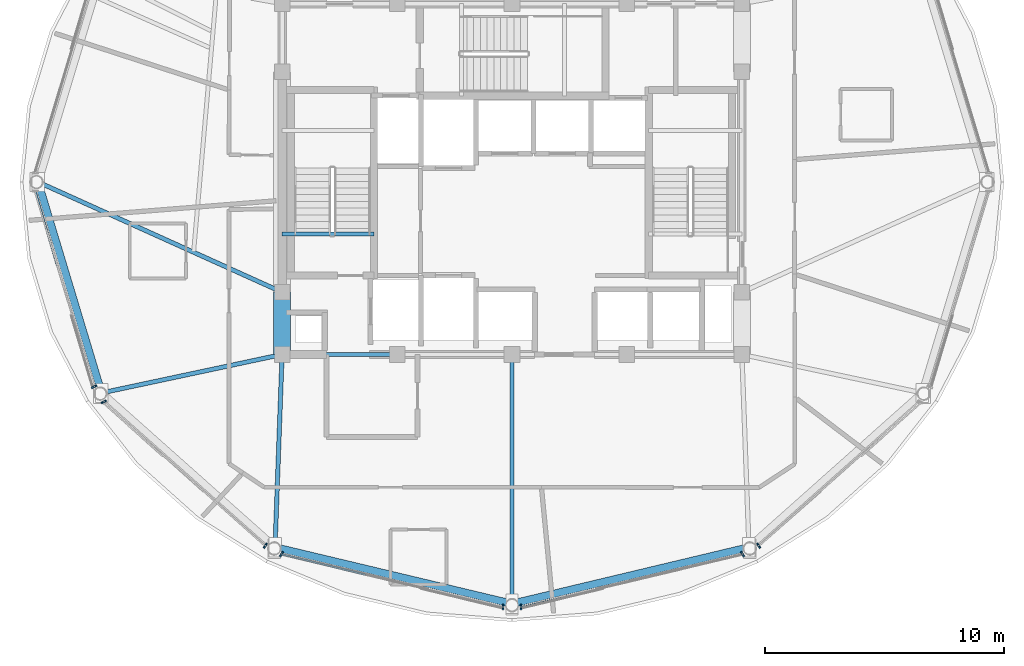
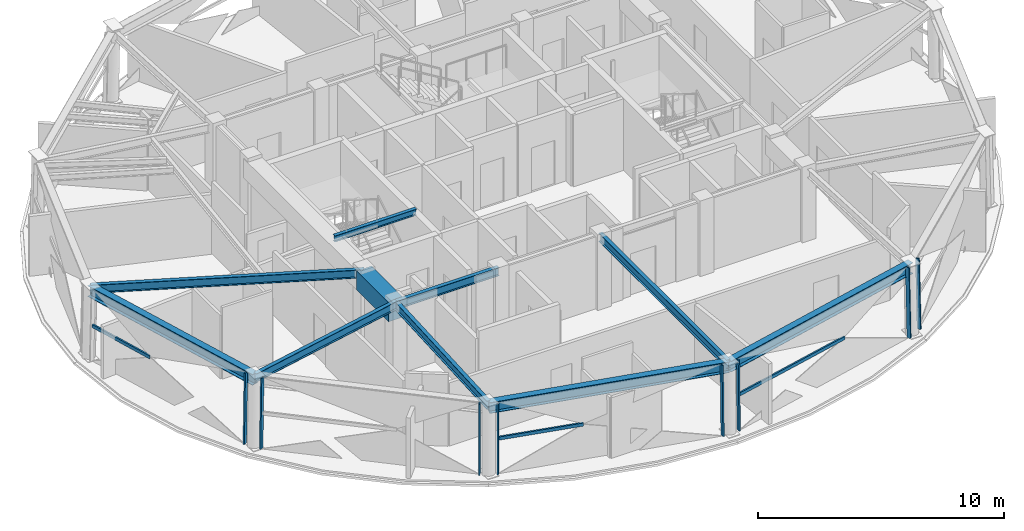
# One storey, part 2 of 15: 11 members, 10 beams, 5 elements without a shape of their own.
"""IFC4 building model written with IfcOpenShell, lengths in metres."""

from ifc_helpers import new_model, si_unit, direction, frame, origin, origin_2d, place, context, subcontext, project, spatial, rectangle, hollow_rectangle, i_section, extrude, material, layer, layer_set, material_profile, profile_set, type_object, element, aggregate, save


model = new_model("IFC4")

# Units and contexts
model_context = context("Model", 3, precision=1e-05, world=origin(), true_north=direction((0.0, 1.0)))
body_context = subcontext(model_context, "Body", "Model", "MODEL_VIEW")
ifc_project = project(units=[si_unit("LENGTHUNIT", "METRE"), si_unit("AREAUNIT", "SQUARE_METRE"), si_unit("VOLUMEUNIT", "CUBIC_METRE"), si_unit("PLANEANGLEUNIT", "RADIAN"), si_unit("MASSUNIT", "GRAM", prefix="KILO")], contexts=[model_context])

# Site, building, storey
site_placement = place(None, origin())
site = spatial("IfcSite", under=ifc_project, at=site_placement, CompositionType="ELEMENT")
building_placement = place(site_placement, origin())
building = spatial("IfcBuilding", under=site, at=building_placement, Name="Vantalir Tower", CompositionType="ELEMENT")
storey_placement = place(building_placement, frame((0.0, 0.0, 263.85009765625)))
storey = spatial("IfcBuildingStorey", under=building, at=storey_placement, Name="L66", CompositionType="ELEMENT", Elevation=263.85009765625)

# Beams
ifc_material_1 = material(Name="Concrete C60/75", Category="concrete")
ifc_material_profile_1 = material_profile(ifc_material_1, rectangle(XDim=0.699951171875, YDim=0.949951171875, at=origin_2d()), Name="Concrete C60/75")
ifc_profile_set_1 = profile_set([ifc_material_profile_1], Name="Concrete C60/75")
beam_type_1 = type_object("IfcBeamType", Name="BM-CB-700x950", PredefinedType="USERDEFINED", material=ifc_profile_set_1)
beam_1_placement = place(storey_placement, frame((21.89990234375, 20.39990234375, 3.094970703125), z_axis=(0.0, -1.0, 0.0), x_axis=(1.0, 0.0, 0.0)))
element("IfcBeam", 1, at=beam_1_placement, inside=storey, type_object=beam_type_1, Name="L66 Core Coupling Girder 14", ObjectType="GIRDER", PredefinedType="USERDEFINED", context=body_context, shape_type="SweptSolid", body=[
    extrude(rectangle(XDim=0.699951171875, YDim=0.949951171875, at=origin_2d()), origin(), (0.0, 0.0, 1.0), 2.599853515625),
])
ifc_material_2 = material(Name="Steel S355", Category="steel")
ifc_material_profile_2 = material_profile(ifc_material_2, i_section(OverallWidth=0.166015625, OverallDepth=0.306884765625, WebThickness=0.006591796875, FlangeThickness=0.01171875, at=origin_2d()), Name="Steel S355")
ifc_profile_set_2 = profile_set([ifc_material_profile_2], Name="Steel S355")
beam_type_2 = type_object("IfcBeamType", Name="BM-JS-305x165", PredefinedType="JOIST", material=ifc_profile_set_2)
beam_2_placement = place(storey_placement, frame((21.89990234375, 22.8349609375, 3.595947265625), z_axis=(1.0, 0.0, 0.0), x_axis=(0.0, 1.0, 0.0)))
element("IfcBeam", 2, at=beam_2_placement, inside=storey, type_object=beam_type_2, Name="L67 Stair ST1 Well Nosing Trimmer Beam", PredefinedType="JOIST", context=body_context, shape_type="SweptSolid", body=[
    extrude(i_section(OverallWidth=0.166015625, OverallDepth=0.306884765625, WebThickness=0.006591796875, FlangeThickness=0.01171875, at=origin_2d()), origin(), (0.0, 0.0, 1.0), 3.840087890625),
])
ifc_material_profile_3 = material_profile(ifc_material_2, i_section(OverallWidth=0.179931640625, OverallDepth=0.4130859375, WebThickness=0.009521484375, FlangeThickness=0.01611328125, at=origin_2d()), Name="Steel S355")
ifc_profile_set_3 = profile_set([ifc_material_profile_3], Name="Steel S355")
beam_type_3 = type_object("IfcBeamType", Name="BM-RB-406x178", PredefinedType="BEAM", material=ifc_profile_set_3)
beam_3_placement = place(storey_placement, frame((21.89990234375, 17.800048828125, 3.364013671875), z_axis=(1.0, 0.0, 0.0), x_axis=(0.0, 1.0, 0.0)))
element("IfcBeam", 3, at=beam_3_placement, inside=storey, type_object=beam_type_3, Name="L66 Core Coupling Girder 01", PredefinedType="BEAM", context=body_context, shape_type="SweptSolid", body=[
    extrude(i_section(OverallWidth=0.179931640625, OverallDepth=0.4130859375, WebThickness=0.009521484375, FlangeThickness=0.01611328125, at=origin_2d()), origin(), (0.0, 0.0, 1.0), 4.800048828125),
])
beam_4_placement = place(storey_placement, frame((11.7099609375, 25.0, 3.364013671875), z_axis=(0.911431363307, -0.411452147861, 0.0), x_axis=(0.411452147861, 0.911431363307, 0.0)))
element("IfcBeam", 4, at=beam_4_placement, inside=storey, type_object=beam_type_3, Name="L66 Radial Floor Beam 07", PredefinedType="BEAM", context=body_context, shape_type="SweptSolid", body=[
    extrude(i_section(OverallWidth=0.179931640625, OverallDepth=0.4130859375, WebThickness=0.009521484375, FlangeThickness=0.01611328125, at=origin_2d()), origin(), (0.0, 0.0, 1.0), 11.18017578125),
])
beam_5_placement = place(storey_placement, frame((14.361083984375, 16.194091796875, 3.364013671875), z_axis=(0.978054321044, 0.208350054206, 0.0), x_axis=(-0.208350054206, 0.978054321044, 0.0)))
element("IfcBeam", 5, at=beam_5_placement, inside=storey, type_object=beam_type_3, Name="L66 Radial Floor Beam 08", PredefinedType="BEAM", context=body_context, shape_type="SweptSolid", body=[
    extrude(i_section(OverallWidth=0.179931640625, OverallDepth=0.4130859375, WebThickness=0.009521484375, FlangeThickness=0.01611328125, at=origin_2d()), origin(), (0.0, 0.0, 1.0), 7.7080078125),
])
beam_6_placement = place(storey_placement, frame((21.60498046875, 9.748046875, 3.364013671875), z_axis=(0.036602605117, 0.999329900132, 0.0), x_axis=(-0.999329900132, 0.036602605117, 0.0)))
element("IfcBeam", 6, at=beam_6_placement, inside=storey, type_object=beam_type_3, Name="L66 Radial Floor Beam 09", PredefinedType="BEAM", context=body_context, shape_type="SweptSolid", body=[
    extrude(i_section(OverallWidth=0.179931640625, OverallDepth=0.4130859375, WebThickness=0.009521484375, FlangeThickness=0.01611328125, at=origin_2d()), origin(), (0.0, 0.0, 1.0), 8.057373046875),
])
beam_7_placement = place(storey_placement, frame((31.5, 7.388916015625, 3.364013671875), z_axis=(0.0, 1.0, 0.0), x_axis=(-1.0, 0.0, 0.0)))
element("IfcBeam", 7, at=beam_7_placement, inside=storey, type_object=beam_type_3, Name="L66 Radial Floor Beam 10", PredefinedType="BEAM", context=body_context, shape_type="SweptSolid", body=[
    extrude(i_section(OverallWidth=0.179931640625, OverallDepth=0.4130859375, WebThickness=0.009521484375, FlangeThickness=0.01611328125, at=origin_2d()), origin(), (0.0, 0.0, 1.0), 10.4111328125),
])
ifc_material_3 = material(Name="Steel S460", Category="steel")
ifc_material_profile_4 = material_profile(ifc_material_3, i_section(OverallWidth=0.31201171875, OverallDepth=0.5419921875, WebThickness=0.0126953125, FlangeThickness=0.020263671875, at=origin_2d()), Name="Steel S460")
ifc_profile_set_4 = profile_set([ifc_material_profile_4], Name="Steel S460")
beam_type_4 = type_object("IfcBeamType", Name="BM-RG-533x312", PredefinedType="USERDEFINED", material=ifc_profile_set_4)
beam_8_placement = place(storey_placement, frame((11.7099609375, 25.0, 3.298828125), z_axis=(0.288280569221, -0.95754598501, 0.0), x_axis=(0.95754598501, 0.288280569221, 0.0)))
element("IfcBeam", 8, at=beam_8_placement, inside=storey, type_object=beam_type_4, Name="L66 Circumferential Ring Girder 07", ObjectType="GIRDER", PredefinedType="USERDEFINED", context=body_context, shape_type="SweptSolid", body=[
    extrude(i_section(OverallWidth=0.31201171875, OverallDepth=0.5419921875, WebThickness=0.0126953125, FlangeThickness=0.020263671875, at=origin_2d()), origin(), (0.0, 0.0, 1.0), 9.1962890625),
])
for number, where, z_axis, x_axis, name in (
    (9, (21.60498046875, 9.748046875, 3.298828125), (0.9727358683, -0.231915783256, 0.0), (0.231915783256, 0.9727358683, 0.0), "L66 Circumferential Ring Girder 09"),
    (10, (31.5, 7.388916015625, 3.298828125), (0.9727358683, 0.231915783256, 0.0), (-0.231915783256, 0.9727358683, 0.0), "L66 Circumferential Ring Girder 10"),
):
    element("IfcBeam", number, at=place(storey_placement, frame(where, z_axis=z_axis, x_axis=x_axis)), inside=storey, type_object=beam_type_4, Name=name, ObjectType="GIRDER", PredefinedType="USERDEFINED", context=body_context, shape_type="SweptSolid", body=[
        extrude(i_section(OverallWidth=0.31201171875, OverallDepth=0.5419921875, WebThickness=0.0126953125, FlangeThickness=0.020263671875, at=origin_2d()), origin(), (0.0, 0.0, 1.0), 10.17236328125),
    ])

# Curtain wall, member
ifc_material_4 = material(Name="Champagne-silver PVDF aluminium and double-silver Low-E glass", Category="aluminium")
ifc_layer = layer(ifc_material_4, 0.219970703125)
ifc_layer_set = layer_set([ifc_layer], Name="Champagne-silver PVDF aluminium and double-silver Low-E glass")
curtain_wall_type = type_object("IfcCurtainWallType", Name="CW-DIAMOND-Z4", PredefinedType="USERDEFINED", material=ifc_layer_set)
curtain_wall_1_placement = place(storey_placement, origin())
curtain_wall_1 = element("IfcCurtainWall", 11, at=curtain_wall_1_placement, inside=storey, type_object=curtain_wall_type, Name="L66 Quilted Pyramid-Diamond Curtain Wall S07", ObjectType="UNITISED CURTAIN WALL", PredefinedType="USERDEFINED")
ifc_material_5 = material(Name="Champagne-silver PVDF aluminium 6063-T6", Category="aluminium")
ifc_material_profile_5 = material_profile(ifc_material_5, hollow_rectangle(XDim=0.070068359375, YDim=0.1650390625, WallThickness=0.00390625, at=origin_2d()), Name="Champagne-silver PVDF aluminium 6063-T6")
ifc_profile_set_5 = profile_set([ifc_material_profile_5], Name="Champagne-silver PVDF aluminium 6063-T6")
member_type_1 = type_object("IfcMemberType", Name="CWM-165x70", PredefinedType="MULLION", material=ifc_profile_set_5)
member_1_placement = place(storey_placement, frame((14.01611328125, 16.43701171875, 0.044921875), z_axis=(0.01977905476, 0.010029804364, 0.999754065767), x_axis=(-0.452266765539, 0.891882712462, 0.0)))
member_1 = element("IfcMember", 12, at=member_1_placement, type_object=member_type_1, Name="CW-L66-S07 Mullion 2", PredefinedType="MULLION", context=body_context, shape_type="SweptSolid", body=[
    extrude(hollow_rectangle(XDim=0.070068359375, YDim=0.1650390625, WallThickness=0.00390625, at=origin_2d()), origin(), (0.0, 0.0, 1.0), 3.48095703125),
])

# Curtain wall, members
curtain_wall_2_placement = place(storey_placement, origin())
curtain_wall_2 = element("IfcCurtainWall", 13, at=curtain_wall_2_placement, inside=storey, type_object=curtain_wall_type, Name="L66 Quilted Pyramid-Diamond Curtain Wall S08", ObjectType="UNITISED CURTAIN WALL", PredefinedType="USERDEFINED")
member_2_placement = place(storey_placement, frame((14.4189453125, 15.804931640625, 0.044921875), z_axis=(0.019849151655, 0.01009992169, 0.999751970621), x_axis=(-0.453501133358, 0.891255699585, 0.0)))
member_2 = element("IfcMember", 14, at=member_2_placement, type_object=member_type_1, Name="CW-L66-S08 Mullion 1", PredefinedType="MULLION", context=body_context, shape_type="SweptSolid", body=[
    extrude(hollow_rectangle(XDim=0.070068359375, YDim=0.1650390625, WallThickness=0.00390625, at=origin_2d()), origin(), (0.0, 0.0, 1.0), 3.48095703125),
])
member_3_placement = place(storey_placement, frame((21.178955078125, 9.781005859375, 0.044921875), z_axis=(0.011502954924, 0.017815552138, 0.999775118779), x_axis=(-0.840102178973, 0.54242817855, 0.0)))
member_3 = element("IfcMember", 15, at=member_3_placement, type_object=member_type_1, Name="CW-L66-S08 Mullion 2", PredefinedType="MULLION", context=body_context, shape_type="SweptSolid", body=[
    extrude(hollow_rectangle(XDim=0.070068359375, YDim=0.1650390625, WallThickness=0.00390625, at=origin_2d()), origin(), (0.0, 0.0, 1.0), 3.480712890625),
])
aggregate(curtain_wall_2, [member_2, member_3])

curtain_wall_3_placement = place(storey_placement, origin())
curtain_wall_3 = element("IfcCurtainWall", 16, at=curtain_wall_3_placement, inside=storey, type_object=curtain_wall_type, Name="L66 Quilted Pyramid-Diamond Curtain Wall S09", ObjectType="UNITISED CURTAIN WALL", PredefinedType="USERDEFINED")
member_4_placement = place(storey_placement, frame((21.84912109375, 9.430908203125, 0.044921875), z_axis=(0.011432824151, 0.017815566468, 0.999775922956), x_axis=(-0.84160883372, 0.540087558647, 0.0)))
member_4 = element("IfcMember", 17, at=member_4_placement, type_object=member_type_1, Name="CW-L66-S09 Mullion 1", PredefinedType="MULLION", context=body_context, shape_type="SweptSolid", body=[
    extrude(hollow_rectangle(XDim=0.070068359375, YDim=0.1650390625, WallThickness=0.00390625, at=origin_2d()), origin(), (0.0, 0.0, 1.0), 3.480712890625),
])
member_5_placement = place(storey_placement, frame((31.12109375, 7.218994140625, 0.044921875), z_axis=(0.0, 0.02041106894, 0.999791672432), x_axis=(-1.0, 0.0, 0.0)))
member_5 = element("IfcMember", 18, at=member_5_placement, type_object=member_type_1, Name="CW-L66-S09 Mullion 2", PredefinedType="MULLION", context=body_context, shape_type="SweptSolid", body=[
    extrude(hollow_rectangle(XDim=0.070068359375, YDim=0.1650390625, WallThickness=0.00390625, at=origin_2d()), origin(), (0.0, 0.0, 1.0), 3.480712890625),
])

curtain_wall_4_placement = place(storey_placement, origin())
curtain_wall_4 = element("IfcCurtainWall", 19, at=curtain_wall_4_placement, inside=storey, type_object=curtain_wall_type, Name="L66 Quilted Pyramid-Diamond Curtain Wall S10", ObjectType="UNITISED CURTAIN WALL", PredefinedType="USERDEFINED")
member_6_placement = place(storey_placement, frame((31.87890625, 7.218994140625, 0.044921875), z_axis=(0.0, 0.02041106894, 0.999791672432), x_axis=(-1.0, 0.0, 0.0)))
member_6 = element("IfcMember", 20, at=member_6_placement, type_object=member_type_1, Name="CW-L66-S10 Mullion 1", PredefinedType="MULLION", context=body_context, shape_type="SweptSolid", body=[
    extrude(hollow_rectangle(XDim=0.070068359375, YDim=0.1650390625, WallThickness=0.00390625, at=origin_2d()), origin(), (0.0, 0.0, 1.0), 3.480712890625),
])
member_7_placement = place(storey_placement, frame((41.15087890625, 9.430908203125, 0.044921875), z_axis=(-0.011432824151, 0.017815566468, 0.999775922956), x_axis=(-0.84160883372, -0.540087558647, 0.0)))
member_7 = element("IfcMember", 21, at=member_7_placement, type_object=member_type_1, Name="CW-L66-S10 Mullion 2", PredefinedType="MULLION", context=body_context, shape_type="SweptSolid", body=[
    extrude(hollow_rectangle(XDim=0.070068359375, YDim=0.1650390625, WallThickness=0.00390625, at=origin_2d()), origin(), (0.0, 0.0, 1.0), 3.480712890625),
])

# Curtain wall, member
curtain_wall_5_placement = place(storey_placement, origin())
curtain_wall_5 = element("IfcCurtainWall", 22, at=curtain_wall_5_placement, inside=storey, type_object=curtain_wall_type, Name="L66 Quilted Pyramid-Diamond Curtain Wall S11", ObjectType="UNITISED CURTAIN WALL", PredefinedType="USERDEFINED")
member_8_placement = place(storey_placement, frame((41.821044921875, 9.781005859375, 0.044921875), z_axis=(-0.011502954924, 0.017815552138, 0.999775118779), x_axis=(-0.840102178973, -0.54242817855, 0.0)))
member_8 = element("IfcMember", 23, at=member_8_placement, type_object=member_type_1, Name="CW-L66-S11 Mullion 1", PredefinedType="MULLION", context=body_context, shape_type="SweptSolid", body=[
    extrude(hollow_rectangle(XDim=0.070068359375, YDim=0.1650390625, WallThickness=0.00390625, at=origin_2d()), origin(), (0.0, 0.0, 1.0), 3.480712890625),
])
aggregate(curtain_wall_5, [member_8])

# Member
ifc_material_profile_6 = material_profile(ifc_material_5, hollow_rectangle(XDim=0.074951171875, YDim=0.159912109375, WallThickness=0.00390625, at=origin_2d()), Name="Champagne-silver PVDF aluminium 6063-T6")
ifc_profile_set_6 = profile_set([ifc_material_profile_6], Name="Champagne-silver PVDF aluminium 6063-T6")
member_type_2 = type_object("IfcMemberType", Name="CWT-160x75", PredefinedType="USERDEFINED", material=ifc_profile_set_6)
member_9_placement = place(storey_placement, frame((11.592041015625, 24.626953125, 1.784912109375), z_axis=(0.281093392926, -0.959680417875, 0.0), x_axis=(0.959680417875, 0.281093392926, 0.0)))
member_9 = element("IfcMember", 24, at=member_9_placement, type_object=member_type_2, Name="CW-L66-S07 Pyramid Fold Ridge Transom", ObjectType="TRANSOM", PredefinedType="USERDEFINED", context=body_context, shape_type="SweptSolid", body=[
    extrude(hollow_rectangle(XDim=0.074951171875, YDim=0.159912109375, WallThickness=0.00390625, at=origin_2d()), origin(), (0.0, 0.0, 1.0), 3.240478515625),
])

aggregate(curtain_wall_1, [member_1, member_9])

member_10_placement = place(storey_placement, frame((21.868896484375, 9.4619140625, 1.784912109375), z_axis=(0.971171579019, -0.238381551522, 0.0), x_axis=(0.238381551522, 0.971171579019, 0.0)))
member_10 = element("IfcMember", 25, at=member_10_placement, type_object=member_type_2, Name="CW-L66-S09 Pyramid Fold Ridge Transom", ObjectType="TRANSOM", PredefinedType="USERDEFINED", context=body_context, shape_type="SweptSolid", body=[
    extrude(hollow_rectangle(XDim=0.074951171875, YDim=0.159912109375, WallThickness=0.00390625, at=origin_2d()), origin(), (0.0, 0.0, 1.0), 3.611083984375),
])

aggregate(curtain_wall_3, [member_4, member_5, member_10])

member_11_placement = place(storey_placement, frame((31.87890625, 7.25390625, 1.784912109375), z_axis=(0.973591601651, 0.228296721822, 0.0), x_axis=(-0.228296721822, 0.973591601651, 0.0)))
member_11 = element("IfcMember", 26, at=member_11_placement, type_object=member_type_2, Name="CW-L66-S10 Pyramid Fold Ridge Transom", ObjectType="TRANSOM", PredefinedType="USERDEFINED", context=body_context, shape_type="SweptSolid", body=[
    extrude(hollow_rectangle(XDim=0.074951171875, YDim=0.159912109375, WallThickness=0.00390625, at=origin_2d()), origin(), (0.0, 0.0, 1.0), 5.90087890625),
])

aggregate(curtain_wall_4, [member_6, member_7, member_11])

save(model, "model.ifc")
